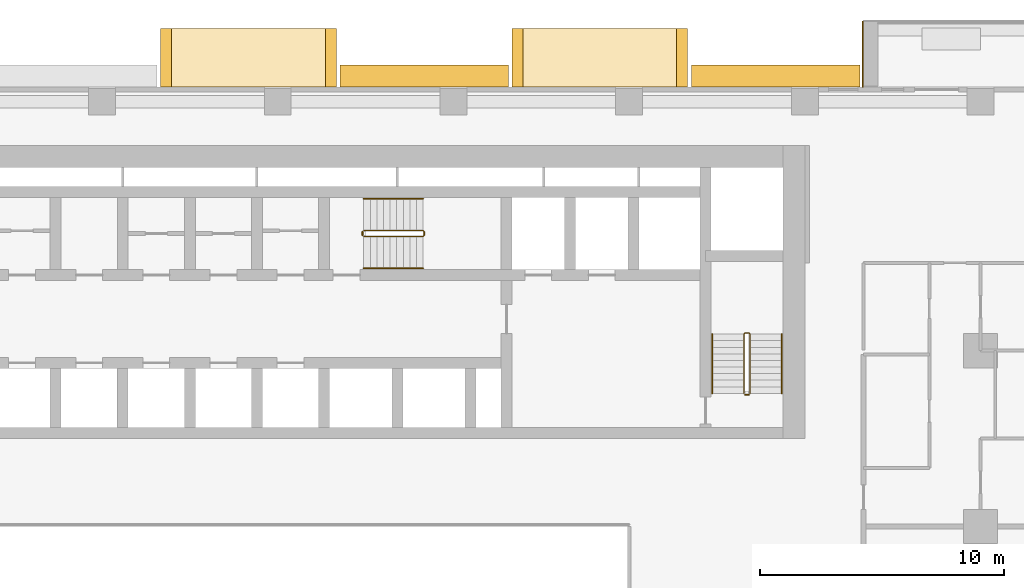
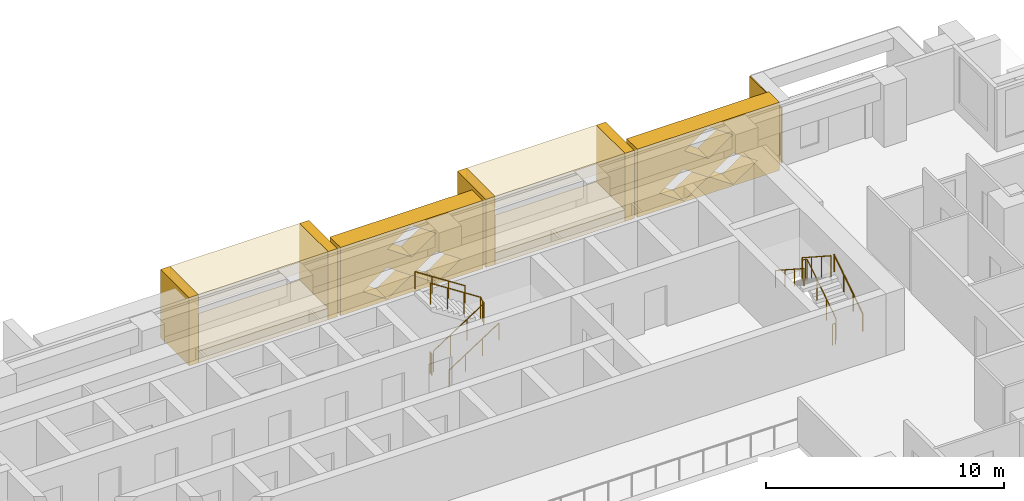
# One storey, part 16 of 17: 11 coverings, 8 railings.
"""IFC4 building model written with IfcOpenShell, lengths in metres."""

from ifc_helpers import new_model, si_unit, direction, frame, origin, origin_2d, place, context, subcontext, project, spatial, polyline, circle, outline, extrude, material, layer, layer_set, type_object, element, save


model = new_model("IFC4")

# Units and contexts
model_context = context("Model", 3, precision=1e-05, world=origin(), true_north=direction((0.0, 1.0)))
body_context = subcontext(model_context, "Body", "Model", "MODEL_VIEW")
ifc_project = project(units=[si_unit("LENGTHUNIT", "METRE"), si_unit("AREAUNIT", "SQUARE_METRE"), si_unit("VOLUMEUNIT", "CUBIC_METRE"), si_unit("PLANEANGLEUNIT", "RADIAN"), si_unit("MASSUNIT", "GRAM", prefix="KILO")], contexts=[model_context])

# Site, building, storey
site_placement = place(None, origin())
site = spatial("IfcSite", under=ifc_project, at=site_placement, CompositionType="ELEMENT")
building_placement = place(site_placement, origin())
building = spatial("IfcBuilding", under=site, at=building_placement, Name="Saffron Iwan Residences", CompositionType="ELEMENT")
storey_placement = place(building_placement, frame((0.0, 0.0, 41.0)))
storey = spatial("IfcBuildingStorey", under=building, at=storey_placement, Name="L09", CompositionType="ELEMENT", Elevation=41.0)

# Coverings
ifc_material_1 = material(Name="Precast concrete C40/50 white painted", Category="concrete")
ifc_layer = layer(ifc_material_1, 0.050048828125)
ifc_layer_set = layer_set([ifc_layer], Name="Precast concrete C40/50 white painted")
covering_type_1 = type_object("IfcCoveringType", Name="FRAME SKIN PRECAST WHITE 50", PredefinedType="CLADDING", material=ifc_layer_set)
covering_placement = place(storey_placement, origin())
element("IfcCovering", 1, at=covering_placement, inside=storey, type_object=covering_type_1, Name="Frame skin fin L09 F5-0b", PredefinedType="CLADDING", context=body_context, shape_type="SweptSolid", body=[
    extrude(outline(polyline([(74.39990234375, 83.10009765625), (74.35009765625, 83.10009765625), (74.35009765625, 80.39990234375), (74.39990234375, 80.39990234375), (74.39990234375, 83.10009765625)])), origin(), (0.0, 0.0, 1.0), 2.85009765625),
])
ifc_material_2 = material(Name="Precast concrete C40/50", Category="concrete")
covering_type_2 = type_object("IfcCoveringType", Name="OUTER SKIN LATTICE SCREEN", PredefinedType="CLADDING", material=ifc_material_2)
for number, where, z_axis, x_axis, name in (
    (2, (74.25, 80.39990234375, -0.320068359375), (0.0, 1.0, 0.0), (-1.0, 0.0, 0.0), "OUTER SKIN lattice screen L09 F5.1"),
    (3, (59.85009765625, 80.39990234375, -0.320068359375), (0.0, 1.0, 0.0), (-1.0, 0.0, 0.0), "OUTER SKIN lattice screen L09 F5.2"),
):
    element("IfcCovering", number, at=place(storey_placement, frame(where, z_axis=z_axis, x_axis=x_axis)), inside=storey, type_object=covering_type_2, Name=name, PredefinedType="CLADDING", context=body_context, shape_type="SweptSolid", body=[
        extrude(outline(polyline([(0.0, 0.0), (6.89990234375, 0.0), (6.89990234375, 3.5), (0.0, 3.5), (0.0, 0.0)]), holes=[polyline([(1.070068359375, 0.875), (2.25, 0.06005859375), (3.429931640625, 0.875), (2.25, 1.68994140625), (1.070068359375, 0.875)]), polyline([(3.469970703125, 0.875), (4.64990234375, 0.06005859375), (5.830078125, 0.875), (4.64990234375, 1.68994140625), (3.469970703125, 0.875)]), polyline([(2.27001953125, 2.625), (3.449951171875, 1.81005859375), (4.6298828125, 2.625), (3.449951171875, 3.43994140625), (2.27001953125, 2.625)])]), origin(), (0.0, 0.0, 1.0), 0.900146484375),
    ])

# Railings
ifc_material_3 = material(Name="Steel S355", Category="steel")
railing_type_1 = type_object("IfcRailingType", Name="Stair guard 1100", PredefinedType="GUARDRAIL", material=ifc_material_3)
railing_1_placement = place(storey_placement, frame((53.925048828125, 74.27490234375, 0.175048828125)))
element("IfcRailing", 4, at=railing_1_placement, inside=storey, type_object=railing_type_1, Name="L09 ST-C stair guard 1", PredefinedType="GUARDRAIL", context=body_context, shape_type="SweptSolid", body=[
    extrude(circle(Radius=0.02392578125, at=origin_2d()), frame((0.0, 0.0, 1.076171875), z_axis=(0.839153699163, 0.0, 0.543894354798), x_axis=(0.0, 1.0, 0.0)), (0.0, 0.0, 1.0), 2.895751953125),
    extrude(circle(Radius=0.02392578125, at=origin_2d()), frame((2.429931640625, 0.0, 2.65087890625), z_axis=(0.707106781187, 0.707106781187, 0.0), x_axis=(-0.707106781187, 0.707106781187, 0.0)), (0.0, 0.0, 1.0), 0.07080078125),
    extrude(circle(Radius=0.02392578125, at=origin_2d()), frame((2.47998046875, 0.050048828125, 2.65087890625), z_axis=(0.0, 1.0, 0.0), x_axis=(-1.0, 0.0, 0.0)), (0.0, 0.0, 1.0), 0.150146484375),
    extrude(circle(Radius=0.02392578125, at=origin_2d()), frame((2.47998046875, 0.2001953125, 2.65087890625), z_axis=(-0.265155923931, 0.263862480399, 0.927399011991), x_axis=(-0.705375805398, -0.708833529934, 0.0)), (0.0, 0.0, 1.0), 0.188720703125),
    extrude(circle(Radius=0.02392578125, at=origin_2d()), frame((2.429931640625, 0.25, 2.826171875), z_axis=(-0.839153699163, 0.0, 0.543894354798), x_axis=(0.0, -1.0, 0.0)), (0.0, 0.0, 1.0), 2.895751953125),
    extrude(circle(Radius=0.02099609375, at=origin_2d()), origin(), (0.0, 0.0, 1.0), 1.052001953125),
    extrude(circle(Radius=0.02099609375, at=origin_2d()), frame((0.81005859375, 0.0, 0.52490234375)), (0.0, 0.0, 1.0), 1.052001953125),
    extrude(circle(Radius=0.02099609375, at=origin_2d()), frame((1.619873046875, 0.0, 1.050048828125)), (0.0, 0.0, 1.0), 1.052001953125),
    extrude(circle(Radius=0.02099609375, at=origin_2d()), frame((2.429931640625, 0.0, 1.574951171875)), (0.0, 0.0, 1.0), 1.052001953125),
    extrude(circle(Radius=0.02099609375, at=origin_2d()), frame((2.47998046875, 0.050048828125, 1.574951171875)), (0.0, 0.0, 1.0), 1.052001953125),
    extrude(circle(Radius=0.02099609375, at=origin_2d()), frame((2.47998046875, 0.2001953125, 1.574951171875)), (0.0, 0.0, 1.0), 1.052001953125),
    extrude(circle(Radius=0.02099609375, at=origin_2d()), frame((2.429931640625, 0.25, 1.75)), (0.0, 0.0, 1.0), 1.052001953125),
    extrude(circle(Radius=0.02099609375, at=origin_2d()), frame((1.619873046875, 0.25, 2.27490234375)), (0.0, 0.0, 1.0), 1.052001953125),
    extrude(circle(Radius=0.02099609375, at=origin_2d()), frame((0.81005859375, 0.25, 2.800048828125)), (0.0, 0.0, 1.0), 1.052001953125),
    extrude(circle(Radius=0.02099609375, at=origin_2d()), frame((0.0, 0.25, 3.324951171875)), (0.0, 0.0, 1.0), 1.052001953125),
])
railing_2_placement = place(storey_placement, frame((53.875, 74.324951171875, 0.0)))
element("IfcRailing", 5, at=railing_2_placement, inside=storey, type_object=railing_type_1, Name="L09 ST-C stair guard 2", PredefinedType="GUARDRAIL", context=body_context, shape_type="SweptSolid", body=[
    extrude(circle(Radius=0.02392578125, at=origin_2d()), frame((0.0, 0.0, 1.076171875), z_axis=(0.0, 1.0, 0.0), x_axis=(-1.0, 0.0, 0.0)), (0.0, 0.0, 1.0), 0.150146484375),
    extrude(circle(Radius=0.02099609375, at=origin_2d()), origin(), (0.0, 0.0, 1.0), 1.052001953125),
    extrude(circle(Radius=0.02099609375, at=origin_2d()), frame((0.0, 0.150146484375, 0.0)), (0.0, 0.0, 1.0), 1.052001953125),
])
railing_3_placement = place(storey_placement, frame((69.75, 67.85009765625, 0.175048828125)))
element("IfcRailing", 6, at=railing_3_placement, inside=storey, type_object=railing_type_1, Name="L09 ST-E stair guard 1", PredefinedType="GUARDRAIL", context=body_context, shape_type="SweptSolid", body=[
    extrude(circle(Radius=0.02392578125, at=origin_2d()), frame((0.0, 0.0, 1.076171875), z_axis=(0.0, 0.839153699163, 0.543894354798), x_axis=(-1.0, 0.0, 0.0)), (0.0, 0.0, 1.0), 2.895751953125),
    extrude(circle(Radius=0.02392578125, at=origin_2d()), frame((0.0, 2.429931640625, 2.65087890625), z_axis=(-0.707106781187, 0.707106781187, 0.0), x_axis=(-0.707106781187, -0.707106781187, 0.0)), (0.0, 0.0, 1.0), 0.07080078125),
    extrude(circle(Radius=0.02392578125, at=origin_2d()), frame((-0.050048828125, 2.47998046875, 2.65087890625), z_axis=(-1.0, 0.0, 0.0), x_axis=(0.0, -1.0, 0.0)), (0.0, 0.0, 1.0), 0.14990234375),
    extrude(circle(Radius=0.02392578125, at=origin_2d()), frame((-0.199951171875, 2.47998046875, 2.65087890625), z_axis=(-0.265065253269, -0.265065253269, 0.927081885822), x_axis=(0.707106781187, -0.707106781187, 0.0)), (0.0, 0.0, 1.0), 0.188720703125),
    extrude(circle(Radius=0.02392578125, at=origin_2d()), frame((-0.25, 2.429931640625, 2.826171875), z_axis=(0.0, -0.839153699163, 0.543894354798), x_axis=(1.0, 0.0, 0.0)), (0.0, 0.0, 1.0), 2.895751953125),
    extrude(circle(Radius=0.02099609375, at=origin_2d()), origin(), (0.0, 0.0, 1.0), 1.052001953125),
    extrude(circle(Radius=0.02099609375, at=origin_2d()), frame((0.0, 0.81005859375, 0.52490234375)), (0.0, 0.0, 1.0), 1.052001953125),
    extrude(circle(Radius=0.02099609375, at=origin_2d()), frame((0.0, 1.619873046875, 1.050048828125)), (0.0, 0.0, 1.0), 1.052001953125),
    extrude(circle(Radius=0.02099609375, at=origin_2d()), frame((0.0, 2.429931640625, 1.574951171875)), (0.0, 0.0, 1.0), 1.052001953125),
    extrude(circle(Radius=0.02099609375, at=origin_2d()), frame((-0.050048828125, 2.47998046875, 1.574951171875)), (0.0, 0.0, 1.0), 1.052001953125),
    extrude(circle(Radius=0.02099609375, at=origin_2d()), frame((-0.199951171875, 2.47998046875, 1.574951171875)), (0.0, 0.0, 1.0), 1.052001953125),
    extrude(circle(Radius=0.02099609375, at=origin_2d()), frame((-0.25, 2.429931640625, 1.75)), (0.0, 0.0, 1.0), 1.052001953125),
    extrude(circle(Radius=0.02099609375, at=origin_2d()), frame((-0.25, 1.619873046875, 2.27490234375)), (0.0, 0.0, 1.0), 1.052001953125),
    extrude(circle(Radius=0.02099609375, at=origin_2d()), frame((-0.25, 0.81005859375, 2.800048828125)), (0.0, 0.0, 1.0), 1.052001953125),
    extrude(circle(Radius=0.02099609375, at=origin_2d()), frame((-0.25, 0.0, 3.324951171875)), (0.0, 0.0, 1.0), 1.052001953125),
])
railing_4_placement = place(storey_placement, frame((69.699951171875, 67.800048828125, 0.0)))
element("IfcRailing", 7, at=railing_4_placement, inside=storey, type_object=railing_type_1, Name="L09 ST-E stair guard 2", PredefinedType="GUARDRAIL", context=body_context, shape_type="SweptSolid", body=[
    extrude(circle(Radius=0.02392578125, at=origin_2d()), frame((0.0, 0.0, 1.076171875), z_axis=(-1.0, 0.0, 0.0), x_axis=(0.0, -1.0, 0.0)), (0.0, 0.0, 1.0), 0.14990234375),
    extrude(circle(Radius=0.02099609375, at=origin_2d()), origin(), (0.0, 0.0, 1.0), 1.052001953125),
    extrude(circle(Radius=0.02099609375, at=origin_2d()), frame((-0.14990234375, 0.0, 0.0)), (0.0, 0.0, 1.0), 1.052001953125),
])
ifc_material_4 = material(Name="Stainless steel 316", Category="steel")
railing_type_2 = type_object("IfcRailingType", Name="Stair handrail 900", PredefinedType="HANDRAIL", material=ifc_material_4)
railing_5_placement = place(storey_placement, frame((53.925048828125, 72.97509765625, 0.175048828125)))
element("IfcRailing", 8, at=railing_5_placement, inside=storey, type_object=railing_type_2, Name="L09 ST-C stair handrail 1", PredefinedType="HANDRAIL", context=body_context, shape_type="SweptSolid", body=[
    extrude(circle(Radius=0.02392578125, at=origin_2d()), frame((0.0, 0.0, 0.8759765625), z_axis=(0.839153699163, 0.0, 0.543894354798), x_axis=(0.0, 1.0, 0.0)), (0.0, 0.0, 1.0), 2.895751953125),
    extrude(circle(Radius=0.02099609375, at=origin_2d()), origin(), (0.0, 0.0, 1.0), 0.851806640625),
    extrude(circle(Radius=0.02099609375, at=origin_2d()), frame((0.81005859375, 0.0, 0.52490234375)), (0.0, 0.0, 1.0), 0.851806640625),
    extrude(circle(Radius=0.02099609375, at=origin_2d()), frame((1.619873046875, 0.0, 1.050048828125)), (0.0, 0.0, 1.0), 0.851806640625),
    extrude(circle(Radius=0.02099609375, at=origin_2d()), frame((2.429931640625, 0.0, 1.574951171875)), (0.0, 0.0, 1.0), 0.851806640625),
])
railing_6_placement = place(storey_placement, frame((56.35498046875, 75.824951171875, 1.925048828125)))
element("IfcRailing", 9, at=railing_6_placement, inside=storey, type_object=railing_type_2, Name="L09 ST-C stair handrail 2", PredefinedType="HANDRAIL", context=body_context, shape_type="SweptSolid", body=[
    extrude(circle(Radius=0.02392578125, at=origin_2d()), frame((0.0, 0.0, 0.8759765625), z_axis=(-0.839153699163, 0.0, 0.543894354798), x_axis=(0.0, -1.0, 0.0)), (0.0, 0.0, 1.0), 2.895751953125),
    extrude(circle(Radius=0.02099609375, at=origin_2d()), origin(), (0.0, 0.0, 1.0), 0.851806640625),
    extrude(circle(Radius=0.02099609375, at=origin_2d()), frame((-0.81005859375, 0.0, 0.52490234375)), (0.0, 0.0, 1.0), 0.851806640625),
    extrude(circle(Radius=0.02099609375, at=origin_2d()), frame((-1.619873046875, 0.0, 1.050048828125)), (0.0, 0.0, 1.0), 0.851806640625),
    extrude(circle(Radius=0.02099609375, at=origin_2d()), frame((-2.429931640625, 0.0, 1.574951171875)), (0.0, 0.0, 1.0), 0.851806640625),
])
railing_7_placement = place(storey_placement, frame((71.050048828125, 67.85009765625, 0.175048828125)))
element("IfcRailing", 10, at=railing_7_placement, inside=storey, type_object=railing_type_2, Name="L09 ST-E stair handrail 1", PredefinedType="HANDRAIL", context=body_context, shape_type="SweptSolid", body=[
    extrude(circle(Radius=0.02392578125, at=origin_2d()), frame((0.0, 0.0, 0.8759765625), z_axis=(0.0, 0.839153699163, 0.543894354798), x_axis=(-1.0, 0.0, 0.0)), (0.0, 0.0, 1.0), 2.895751953125),
    extrude(circle(Radius=0.02099609375, at=origin_2d()), origin(), (0.0, 0.0, 1.0), 0.851806640625),
    extrude(circle(Radius=0.02099609375, at=origin_2d()), frame((0.0, 0.81005859375, 0.52490234375)), (0.0, 0.0, 1.0), 0.851806640625),
    extrude(circle(Radius=0.02099609375, at=origin_2d()), frame((0.0, 1.619873046875, 1.050048828125)), (0.0, 0.0, 1.0), 0.851806640625),
    extrude(circle(Radius=0.02099609375, at=origin_2d()), frame((0.0, 2.429931640625, 1.574951171875)), (0.0, 0.0, 1.0), 0.851806640625),
])
railing_8_placement = place(storey_placement, frame((68.199951171875, 70.280029296875, 1.925048828125)))
element("IfcRailing", 11, at=railing_8_placement, inside=storey, type_object=railing_type_2, Name="L09 ST-E stair handrail 2", PredefinedType="HANDRAIL", context=body_context, shape_type="SweptSolid", body=[
    extrude(circle(Radius=0.02392578125, at=origin_2d()), frame((0.0, 0.0, 0.8759765625), z_axis=(0.0, -0.839153699163, 0.543894354798), x_axis=(1.0, 0.0, 0.0)), (0.0, 0.0, 1.0), 2.895751953125),
    extrude(circle(Radius=0.02099609375, at=origin_2d()), origin(), (0.0, 0.0, 1.0), 0.851806640625),
    extrude(circle(Radius=0.02099609375, at=origin_2d()), frame((0.0, -0.81005859375, 0.52490234375)), (0.0, 0.0, 1.0), 0.851806640625),
    extrude(circle(Radius=0.02099609375, at=origin_2d()), frame((0.0, -1.619873046875, 1.050048828125)), (0.0, 0.0, 1.0), 0.851806640625),
    extrude(circle(Radius=0.02099609375, at=origin_2d()), frame((0.0, -2.429931640625, 1.574951171875)), (0.0, 0.0, 1.0), 0.851806640625),
])

# Coverings
covering_type_3 = type_object("IfcCoveringType", Name="WHITE SUN FRAME PRECAST", PredefinedType="CLADDING", material=ifc_material_1)
for number, where, z_axis, x_axis, name in (
    (12, (67.199951171875, 80.39990234375, -0.320068359375), (0.0, 1.0, 0.0), (-1.0, 0.0, 0.0), "Sun frame L09 F5 15.6a"),
    (13, (60.449951171875, 80.39990234375, -0.320068359375), (0.0, 1.0, 0.0), (-1.0, 0.0, 0.0), "Sun frame L09 F5 15.6b"),
):
    element("IfcCovering", number, at=place(storey_placement, frame(where, z_axis=z_axis, x_axis=x_axis)), inside=storey, type_object=covering_type_3, Name=name, PredefinedType="CLADDING", context=body_context, shape_type="SweptSolid", body=[
        extrude(outline(polyline([(0.0, 0.0), (0.449951171875, 0.0), (0.449951171875, 3.5), (0.0, 3.5), (0.0, 0.0)])), origin(), (0.0, 0.0, 1.0), 2.400146484375),
    ])
for number, where, z_axis, x_axis, name in (
    (14, (66.75, 80.39990234375, 2.580078125), (0.0, 1.0, 0.0), (-1.0, 0.0, 0.0), "Sun frame L09 F5 15.6h"),
    (15, (66.75, 80.39990234375, -0.320068359375), (0.0, 1.0, 0.0), (-1.0, 0.0, 0.0), "Sun frame L09 F5 15.6s"),
):
    element("IfcCovering", number, at=place(storey_placement, frame(where, z_axis=z_axis, x_axis=x_axis)), inside=storey, type_object=covering_type_3, Name=name, PredefinedType="CLADDING", context=body_context, shape_type="SweptSolid", body=[
        extrude(outline(polyline([(0.0, 0.0), (6.300048828125, 0.0), (6.300048828125, 0.60009765625), (0.0, 0.60009765625), (0.0, 0.0)])), origin(), (0.0, 0.0, 1.0), 2.400146484375),
    ])
for number, where, z_axis, x_axis, name in (
    (16, (52.800048828125, 80.39990234375, -0.320068359375), (0.0, 1.0, 0.0), (-1.0, 0.0, 0.0), "Sun frame L09 F5 30.0a"),
    (17, (46.050048828125, 80.39990234375, -0.320068359375), (0.0, 1.0, 0.0), (-1.0, 0.0, 0.0), "Sun frame L09 F5 30.0b"),
):
    element("IfcCovering", number, at=place(storey_placement, frame(where, z_axis=z_axis, x_axis=x_axis)), inside=storey, type_object=covering_type_3, Name=name, PredefinedType="CLADDING", context=body_context, shape_type="SweptSolid", body=[
        extrude(outline(polyline([(0.0, 0.0), (0.449951171875, 0.0), (0.449951171875, 3.5), (0.0, 3.5), (0.0, 0.0)])), origin(), (0.0, 0.0, 1.0), 2.400146484375),
    ])
for number, where, z_axis, x_axis, name in (
    (18, (52.35009765625, 80.39990234375, 2.580078125), (0.0, 1.0, 0.0), (-1.0, 0.0, 0.0), "Sun frame L09 F5 30.0h"),
    (19, (52.35009765625, 80.39990234375, -0.320068359375), (0.0, 1.0, 0.0), (-1.0, 0.0, 0.0), "Sun frame L09 F5 30.0s"),
):
    element("IfcCovering", number, at=place(storey_placement, frame(where, z_axis=z_axis, x_axis=x_axis)), inside=storey, type_object=covering_type_3, Name=name, PredefinedType="CLADDING", context=body_context, shape_type="SweptSolid", body=[
        extrude(outline(polyline([(0.0, 0.0), (6.300048828125, 0.0), (6.300048828125, 0.60009765625), (0.0, 0.60009765625), (0.0, 0.0)])), origin(), (0.0, 0.0, 1.0), 2.400146484375),
    ])

save(model, "model.ifc")
